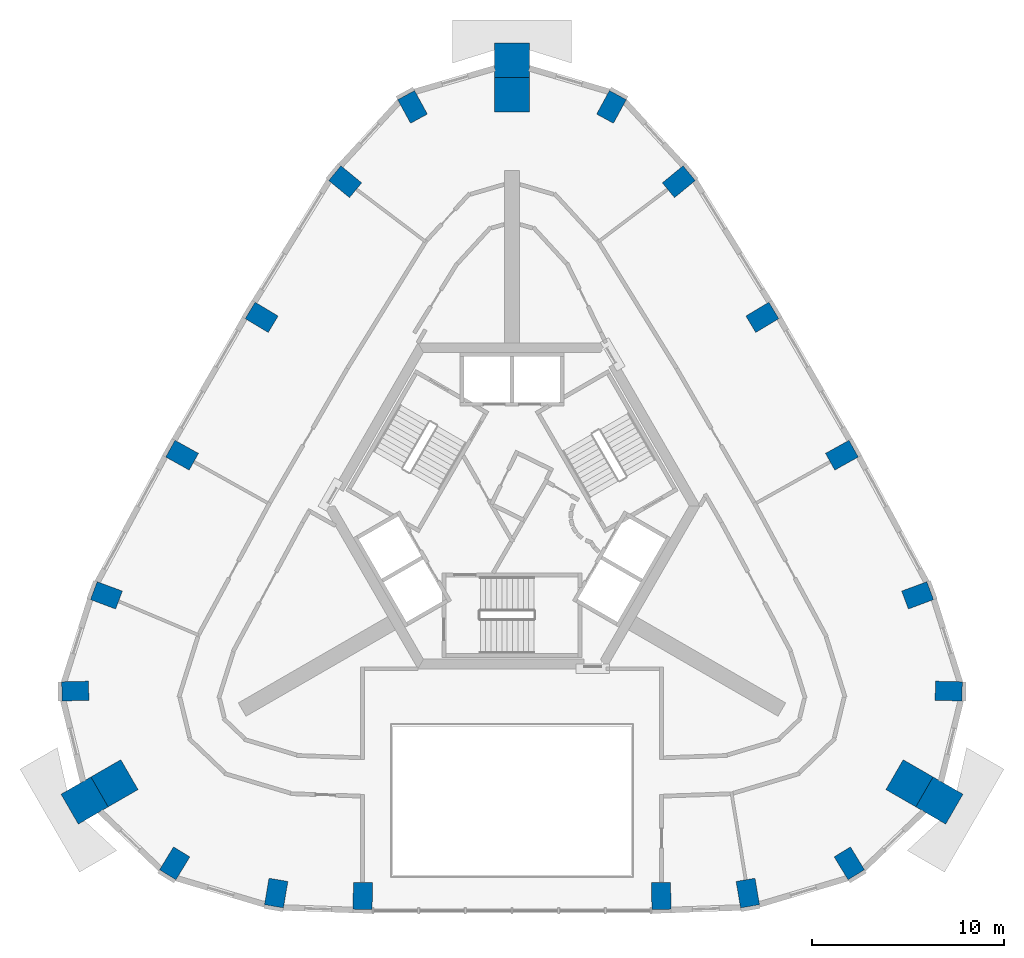
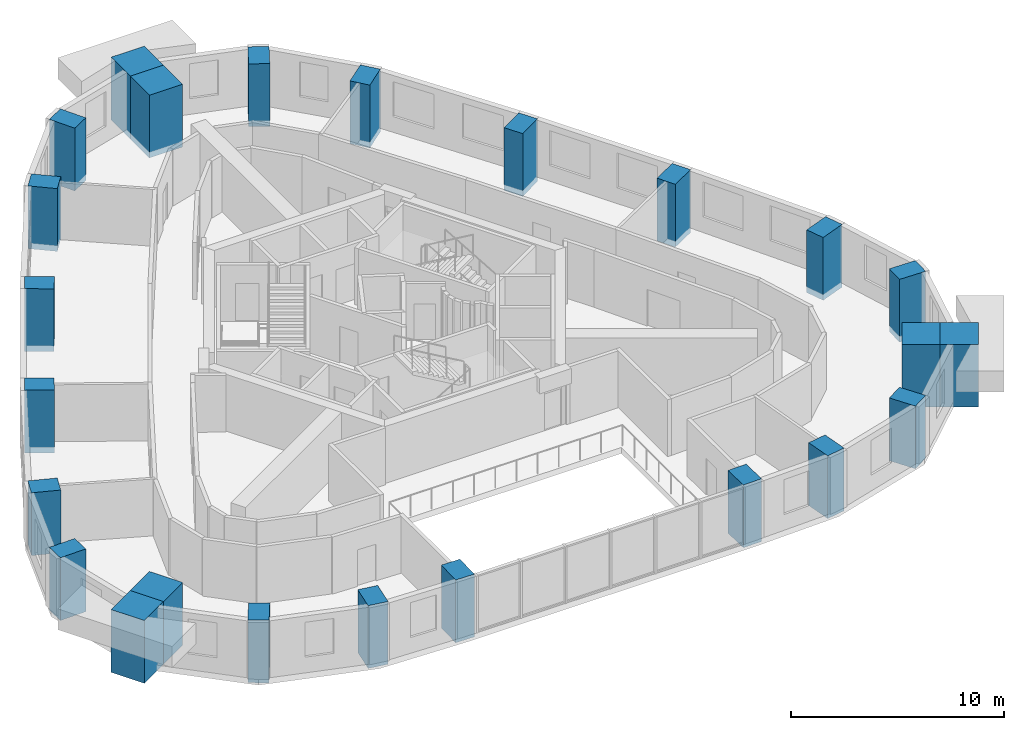
# One storey, part 1 of 9: 24 columns.
"""IFC4 building model written with IfcOpenShell, lengths in metres."""

import ifcopenshell
import ifcopenshell.guid

model = None  # the IFC model being written
_history = None  # IfcOwnerHistory: only IFC2X3 demands one
_inside = {}  # id of a spatial element -> (the spatial element, [elements in it])
_under = {}  # id of a project, library or spatial element -> (it, [spatial elements below it])
_declared = {}  # id of a project -> (the project, [libraries it declares])
_typed = {}  # id of a type object -> (the type object, [elements of that type])
_made_of = {}  # id of a material, layer set ... -> (it, [elements and type objects made of it])


def new_model(schema):
    """Start an empty IFC model of exactly this schema.

    Asked for "IFC4X3", IfcOpenShell would pick the latest addendum, in which some entities
    have other attributes; the version numbers below select the first issue.
    IFC2X3 requires an IfcOwnerHistory on every rooted entity: one is made here for all.
    """
    global model, _history
    if schema == "IFC4X3":
        model = ifcopenshell.file(schema_version=(4, 3, 0, 0))
    else:
        model = ifcopenshell.file(schema=schema)
    _inside.clear()
    _under.clear()
    _declared.clear()
    _typed.clear()
    _made_of.clear()
    _history = None
    if model.schema == "IFC2X3":
        org = make("IfcOrganization", Name="unknown")
        user = make(
            "IfcPersonAndOrganization",
            ThePerson=make("IfcPerson", FamilyName="unknown"),
            TheOrganization=org,
        )
        app = make(
            "IfcApplication",
            ApplicationDeveloper=org,
            Version="unknown",
            ApplicationFullName="unknown",
            ApplicationIdentifier="unknown",
        )
        _history = make(
            "IfcOwnerHistory",
            OwningUser=user,
            OwningApplication=app,
            ChangeAction="ADDED",
            CreationDate=0,
        )
    return model


def make(cls, **values):
    """One entity of the class cls with the attributes given. An attribute that is None is left unset."""
    return model.create_entity(
        cls, **{name: value for name, value in values.items() if value is not None}
    )


def rooted(cls, **values):
    """An entity with a GlobalId (a new one), such as an element, a storey or a relation."""
    return make(cls, GlobalId=ifcopenshell.guid.new(), OwnerHistory=_history, **values)


def si_unit(unit_type, name, prefix=None):
    """IfcSIUnit, for example si_unit("LENGTHUNIT", "METRE", prefix="MILLI")."""
    return make("IfcSIUnit", UnitType=unit_type, Prefix=prefix, Name=name)


def assignment(units):
    """IfcUnitAssignment: the units of a project."""
    return None if units is None else make("IfcUnitAssignment", Units=units)


def point(xyz):
    """IfcCartesianPoint."""
    return None if xyz is None else make("IfcCartesianPoint", Coordinates=xyz)


def direction(xyz):
    """IfcDirection."""
    return None if xyz is None else make("IfcDirection", DirectionRatios=xyz)


def frame(location, z_axis=None, x_axis=None):
    """IfcAxis2Placement3D, a coordinate frame: its origin and axes. An axis left out is left unset."""
    return make(
        "IfcAxis2Placement3D",
        Location=point(location),
        Axis=direction(z_axis),
        RefDirection=direction(x_axis),
    )


def frame_2d(location, x_axis=None):
    """IfcAxis2Placement2D, a coordinate frame in the plane: its origin and x axis."""
    return make(
        "IfcAxis2Placement2D", Location=point(location), RefDirection=direction(x_axis)
    )


def origin():
    """The frame at (0, 0, 0) with its axes left unset."""
    return frame((0.0, 0.0, 0.0))


def origin_2d():
    """The frame at (0, 0) in the plane with its x axis left unset."""
    return frame_2d((0.0, 0.0))


def place(relative_to, where):
    """IfcLocalPlacement: puts the frame where relative to a parent placement (None: the world)."""
    return make(
        "IfcLocalPlacement", PlacementRelTo=relative_to, RelativePlacement=where
    )


def context(
    kind, dimensions, precision=None, world=None, true_north=None, identifier=None
):
    """IfcGeometricRepresentationContext, for example the 3D "Model" context."""
    return make(
        "IfcGeometricRepresentationContext",
        ContextIdentifier=identifier,
        ContextType=kind,
        CoordinateSpaceDimension=dimensions,
        Precision=precision,
        WorldCoordinateSystem=world,
        TrueNorth=true_north,
    )


def subcontext(parent, identifier, kind, view, scale=None):
    """IfcGeometricRepresentationSubContext, for example "Body" below "Model"."""
    return make(
        "IfcGeometricRepresentationSubContext",
        ContextIdentifier=identifier,
        ContextType=kind,
        ParentContext=parent,
        TargetScale=scale,
        TargetView=view,
    )


def project(units=None, contexts=None):
    """IfcProject with its units and contexts."""
    return rooted(
        "IfcProject",
        Name="project",
        RepresentationContexts=contexts,
        UnitsInContext=assignment(units),
    )


def spatial(cls, under=None, at=None, **own):
    """A site, building, storey or space (cls), placed at a placement, below another one or the project."""
    s = rooted(cls, ObjectPlacement=at, **own)
    if under is not None:
        _under.setdefault(under.id(), (under, []))[1].append(s)
    return s


def profile(cls, at=None, kind="AREA", **sizes):
    """A parametric profile (cls). Its sizes go by their IFC names, for example OverallWidth=200.0."""
    return make(cls, ProfileType=kind, Position=at, **sizes)


def rectangle(**sizes):
    """IfcRectangleProfileDef."""
    return profile("IfcRectangleProfileDef", **sizes)


def extrude(swept, where, along, depth):
    """IfcExtrudedAreaSolid: the profile swept, set in the frame where, extruded along a direction by depth."""
    return make(
        "IfcExtrudedAreaSolid",
        SweptArea=swept,
        Position=where,
        ExtrudedDirection=direction(along),
        Depth=depth,
    )


def shape(context_of_items, identifier, shape_type, items):
    """IfcShapeRepresentation: the items that make up one representation, for example the "Body"."""
    return make(
        "IfcShapeRepresentation",
        ContextOfItems=context_of_items,
        RepresentationIdentifier=identifier,
        RepresentationType=shape_type,
        Items=items,
    )


def material(Name=None, Category=None):
    """IfcMaterial."""
    return make("IfcMaterial", Name=Name, Category=Category)


def material_profile(
    of_material, cross_section, Name=None, Category=None, Priority=None
):
    """IfcMaterialProfile: a cross section and its material."""
    return make(
        "IfcMaterialProfile",
        Name=Name,
        Material=of_material,
        Profile=cross_section,
        Priority=Priority,
        Category=Category,
    )


def profile_set(profiles, Name=None, composite=None):
    """IfcMaterialProfileSet."""
    return make(
        "IfcMaterialProfileSet",
        Name=Name,
        MaterialProfiles=profiles,
        CompositeProfile=composite,
    )


def made_of(thing, what):
    """Note that an element or type object is made of a material, layer set ...; save() writes the relation."""
    if what is not None:
        _made_of.setdefault(what.id(), (what, []))[1].append(thing)
    return thing


def type_object(cls, material=None, **own):
    """A type object (cls), such as IfcWallType, which elements share."""
    return made_of(rooted(cls, **own), material)


def element(
    cls,
    number,
    at=None,
    inside=None,
    cuts=None,
    type_object=None,
    material=None,
    context=None,
    identifier="Body",
    shape_type=None,
    held_by="IfcProductDefinitionShape",
    body=None,
    shapes=None,
    **own,
):
    """One element of the class cls, such as IfcWall. Its Tag is "e" and its number.

    at: its placement. inside: the storey or other place that contains it. cuts: it is an
    opening in that element (IfcRelVoidsElement). A single representation is given by context,
    identifier, shape_type and body (its items); several are given by shapes. held_by: the class
    of the entity that holds the representations. save() writes the other relations.
    """
    e = rooted(cls, Tag="e%d" % number, ObjectPlacement=at, **own)
    if body is not None:
        shapes = [shape(context, identifier, shape_type, body)]
    if shapes is not None:
        e.Representation = make(held_by, Representations=shapes)
    if inside is not None:
        _inside.setdefault(inside.id(), (inside, []))[1].append(e)
    if cuts is not None:
        rooted(
            "IfcRelVoidsElement", RelatingBuildingElement=cuts, RelatedOpeningElement=e
        )
    if type_object is not None:
        _typed.setdefault(type_object.id(), (type_object, []))[1].append(e)
    return made_of(e, material)


def aggregate(whole, parts):
    """IfcRelAggregates: a whole, such as a stair, and the parts it consists of."""
    return rooted("IfcRelAggregates", RelatingObject=whole, RelatedObjects=parts)


def save(model, path):
    """Write the relations noted so far, then the file.

    IfcRelAggregates (storeys below a building ...), IfcRelContainedInSpatialStructure (elements
    in a storey), IfcRelDefinesByType, IfcRelAssociatesMaterial and IfcRelDeclares: one each for
    every whole, place, type object, material and project.
    """
    for whole, parts in _under.values():
        aggregate(whole, parts)
    for where, things in _inside.values():
        rooted(
            "IfcRelContainedInSpatialStructure",
            RelatedElements=things,
            RelatingStructure=where,
        )
    for kind, things in _typed.values():
        rooted("IfcRelDefinesByType", RelatedObjects=things, RelatingType=kind)
    for what, things in _made_of.values():
        rooted("IfcRelAssociatesMaterial", RelatedObjects=things, RelatingMaterial=what)
    for by, libraries in _declared.values():
        rooted("IfcRelDeclares", RelatingContext=by, RelatedDefinitions=libraries)
    model.write(path)


model = new_model("IFC4")

# Units and contexts
model_context = context("Model", 3, precision=1e-05, world=origin(), true_north=direction((0.0, 1.0)))
body_context = subcontext(model_context, "Body", "Model", "MODEL_VIEW")
ifc_project = project(units=[si_unit("LENGTHUNIT", "METRE"), si_unit("AREAUNIT", "SQUARE_METRE"), si_unit("VOLUMEUNIT", "CUBIC_METRE"), si_unit("PLANEANGLEUNIT", "RADIAN"), si_unit("MASSUNIT", "GRAM", prefix="KILO")], contexts=[model_context])

# Site, building, storey
site_placement = place(None, origin())
site = spatial("IfcSite", under=ifc_project, at=site_placement, CompositionType="ELEMENT")
building_placement = place(site_placement, origin())
building = spatial("IfcBuilding", under=site, at=building_placement, Name="Entoto Arch Interchange Tower", CompositionType="ELEMENT")
storey_placement = place(building_placement, frame((0.0, 0.0, 315.199951171875)))
storey = spatial("IfcBuildingStorey", under=building, at=storey_placement, Name="L74", CompositionType="ELEMENT", Elevation=315.199951171875)

# Columns
ifc_material_1 = material(Name="Concrete C40/50", Category="concrete")
ifc_material_profile_1 = material_profile(ifc_material_1, rectangle(XDim=1.0, YDim=1.39990234375, at=origin_2d()))
ifc_profile_set_1 = profile_set([ifc_material_profile_1], Name="Concrete C40/50")
column_type_1 = type_object("IfcColumnType", Name="Column RC 1000x1400 C40/50", PredefinedType="COLUMN", material=ifc_profile_set_1)
for number, where, z_axis, x_axis, name in (
    (1, (-12.297119140625, -17.694091796875, -0.33984375), (0.0, 0.0, 1.0), (-0.985785690827, 0.168007653877, 0.0), "Column S01 L74"),
    (2, (-7.781982421875, -17.845947265625, -0.33984375), (0.0, 0.0, 1.0), (-0.999805523312, 0.019720942027, 0.0), "Column S02 L74"),
    (3, (7.781982421875, -17.845947265625, -0.33984375), (0.0, 0.0, 1.0), (0.999805523312, 0.019720942027, 0.0), "Column S03 L74"),
    (4, (12.297119140625, -17.694091796875, -0.33984375), (0.0, 0.0, 1.0), (0.985785690827, 0.168007653877, 0.0), "Column S04 L74"),
    (5, (17.589111328125, -16.14306640625, -0.33984375), (0.0, 0.0, 1.0), (0.853650808213, 0.520845752251, 0.0), "Column SE1 L74"),
    (6, (22.77490234375, -7.159912109375, -0.33984375), (0.0, 0.0, 1.0), (0.024257696956, 0.999705738774, 0.0), "Column SE3 L74"),
    (7, (21.153076171875, -2.16796875, -0.33984375), (0.0, 0.0, 1.0), (-0.3507141184, 0.93648257173, 0.0), "Column NE01 L74"),
    (8, (17.2041015625, 5.14111328125, -0.33984375), (0.0, 0.0, 1.0), (-0.48592357098, 0.874001306158, 0.0), "Column NE02 L74"),
    (9, (13.053955078125, 12.3291015625, -0.33984375), (0.0, 0.0, 1.0), (-0.513945548584, 0.857822809845, 0.0), "Column NE03 L74"),
    (10, (8.698974609375, 19.403076171875, -0.33984375), (0.0, 0.0, 1.0), (-0.635647164629, 0.771979716119, 0.0), "Column NE04 L74"),
    (11, (5.18603515625, 23.303955078125, -0.33984375), (0.0, 0.0, 1.0), (-0.877899414566, 0.478845087586, 0.0), "Column N1 L74"),
    (12, (-5.18603515625, 23.303955078125, -0.33984375), (0.0, 0.0, 1.0), (0.877899414566, 0.478845087586, 0.0), "Column N3 L74"),
    (13, (-8.698974609375, 19.403076171875, -0.33984375), (0.0, 0.0, 1.0), (0.635647164629, 0.771979716119, 0.0), "Column NW01 L74"),
    (14, (-13.053955078125, 12.3291015625, -0.33984375), (0.0, 0.0, 1.0), (0.513945548584, 0.857822809845, 0.0), "Column NW02 L74"),
    (15, (-17.2041015625, 5.14111328125, -0.33984375), (0.0, 0.0, 1.0), (0.48592357098, 0.874001306158, 0.0), "Column NW03 L74"),
    (16, (-21.153076171875, -2.16796875, -0.33984375), (0.0, 0.0, 1.0), (0.3507141184, 0.93648257173, 0.0), "Column NW04 L74"),
    (17, (-22.77490234375, -7.159912109375, -0.33984375), (0.0, 0.0, 1.0), (-0.024257696956, 0.999705738774, 0.0), "Column SW1 L74"),
    (18, (-17.589111328125, -16.14306640625, -0.33984375), (0.0, 0.0, 1.0), (-0.853650808213, 0.520845752251, 0.0), "Column SW3 L74"),
):
    element("IfcColumn", number, at=place(storey_placement, frame(where, z_axis=z_axis, x_axis=x_axis)), inside=storey, type_object=column_type_1, Name=name, PredefinedType="COLUMN", context=body_context, shape_type="SweptSolid", body=[
        extrude(rectangle(XDim=1.0, YDim=1.39990234375, at=origin_2d()), origin(), (0.0, 0.0, 1.0), 3.599853515625),
    ])
ifc_material_2 = material(Name="Precast concrete C40/50", Category="concrete")
ifc_material_profile_2 = material_profile(ifc_material_2, rectangle(XDim=1.800048828125, YDim=1.800048828125, at=origin_2d()))
ifc_profile_set_2 = profile_set([ifc_material_profile_2], Name="Precast concrete C40/50")
column_type_2 = type_object("IfcColumnType", Name="Frame post RC 1800x1800 precast C40/50", PredefinedType="COLUMN", material=ifc_profile_set_2)
for number, where, z_axis, x_axis, name in (
    (19, (22.2890625, -12.868896484375, -0.33984375), (0.0, 0.0, 1.0), (-0.866025403784, 0.5, 0.0), "Frame post SE L74"),
    (20, (0.0, 25.737060546875, -0.33984375), (0.0, 0.0, 1.0), (0.0, 1.0, 0.0), "Frame post N L74"),
    (21, (-22.2890625, -12.868896484375, -0.33984375), (0.0, 0.0, 1.0), (0.866025403784, 0.5, 0.0), "Frame post SW L74"),
):
    element("IfcColumn", number, at=place(storey_placement, frame(where, z_axis=z_axis, x_axis=x_axis)), inside=storey, type_object=column_type_2, Name=name, PredefinedType="COLUMN", context=body_context, shape_type="SweptSolid", body=[
        extrude(rectangle(XDim=1.800048828125, YDim=1.800048828125, at=origin_2d()), origin(), (0.0, 0.0, 1.0), 3.599853515625),
    ])
ifc_material_profile_3 = material_profile(ifc_material_1, rectangle(XDim=1.800048828125, YDim=1.800048828125, at=origin_2d()))
ifc_profile_set_3 = profile_set([ifc_material_profile_3], Name="Concrete C40/50")
column_type_3 = type_object("IfcColumnType", Name="Mega column RC 1800x1800 C40/50", PredefinedType="COLUMN", material=ifc_profile_set_3)
for number, where, z_axis, x_axis, name in (
    (22, (20.72998046875, -11.968994140625, -0.33984375), (0.0, 0.0, 1.0), (-0.866025403784, 0.5, 0.0), "Corner mega column SE2 L74"),
    (23, (0.0, 23.93701171875, -0.33984375), (0.0, 0.0, 1.0), (0.0, 1.0, 0.0), "Corner mega column N2 L74"),
    (24, (-20.72998046875, -11.968994140625, -0.33984375), (0.0, 0.0, 1.0), (0.866025403784, 0.5, 0.0), "Corner mega column SW2 L74"),
):
    element("IfcColumn", number, at=place(storey_placement, frame(where, z_axis=z_axis, x_axis=x_axis)), inside=storey, type_object=column_type_3, Name=name, PredefinedType="COLUMN", context=body_context, shape_type="SweptSolid", body=[
        extrude(rectangle(XDim=1.800048828125, YDim=1.800048828125, at=origin_2d()), origin(), (0.0, 0.0, 1.0), 3.599853515625),
    ])

save(model, "model.ifc")
